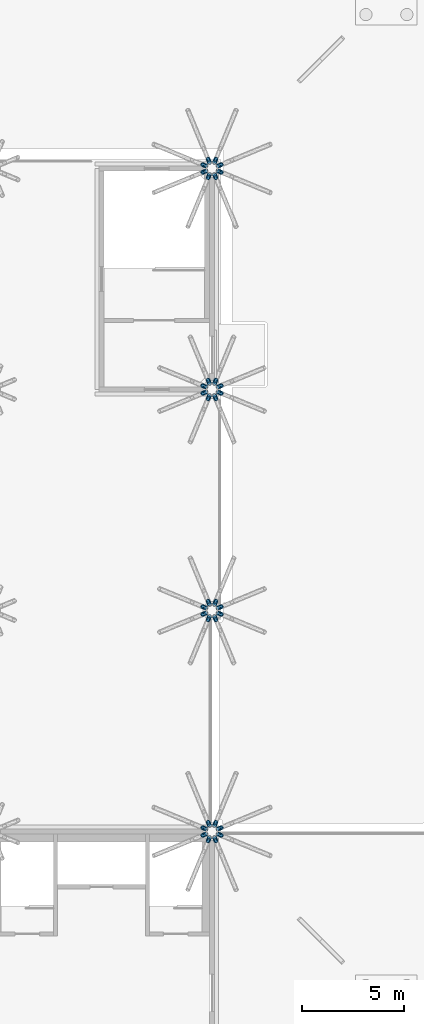
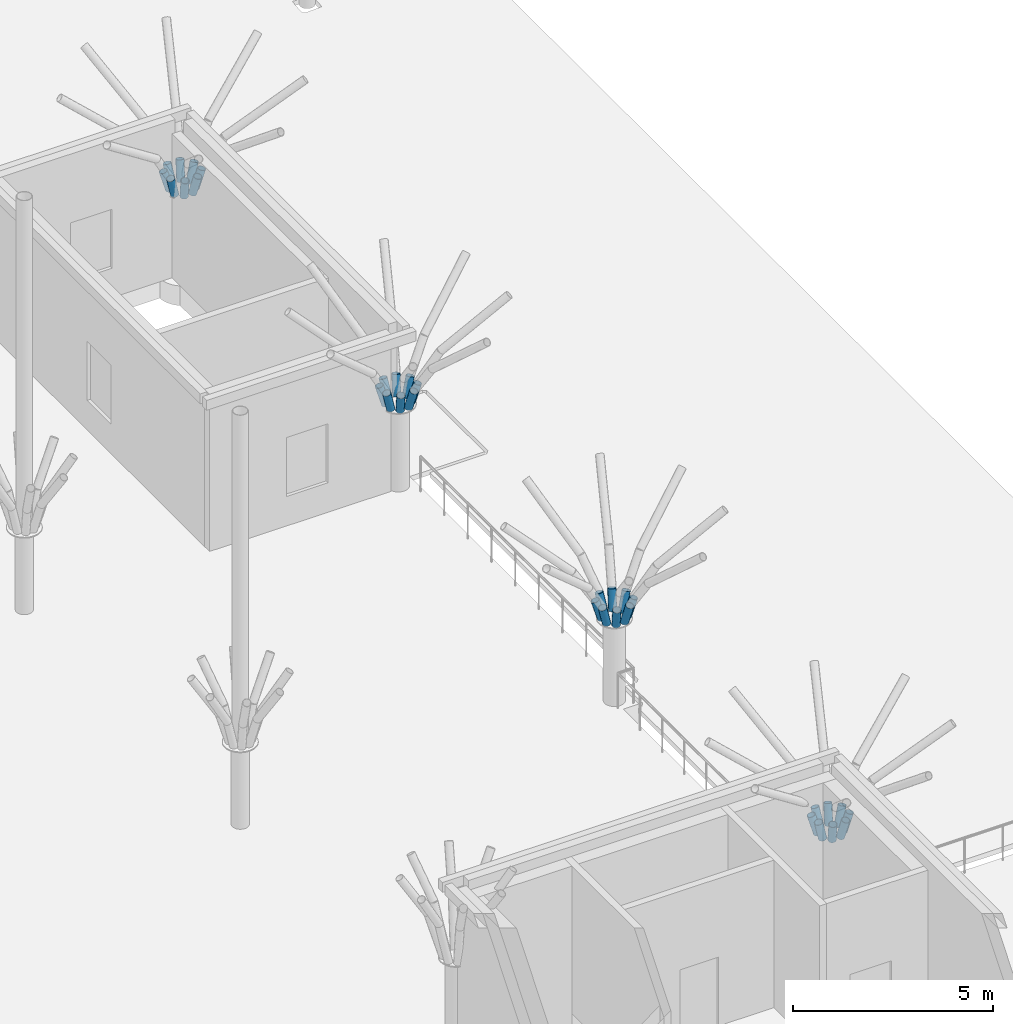
# One storey, part 31 of 91: 32 members.
"""IFC4 building model written with IfcOpenShell, lengths in metres."""

from ifc_helpers import new_model, si_unit, direction, frame, origin, origin_2d, place, context, subcontext, project, spatial, hollow_circle, extrude, material, material_profile, profile_set, type_object, element, save


model = new_model("IFC4")

# Units and contexts
model_context = context("Model", 3, precision=1e-05, world=origin(), true_north=direction((0.0, 1.0)))
body_context = subcontext(model_context, "Body", "Model", "MODEL_VIEW")
ifc_project = project(units=[si_unit("LENGTHUNIT", "METRE"), si_unit("AREAUNIT", "SQUARE_METRE"), si_unit("VOLUMEUNIT", "CUBIC_METRE"), si_unit("PLANEANGLEUNIT", "RADIAN"), si_unit("MASSUNIT", "GRAM", prefix="KILO")], contexts=[model_context])

# Site, building, storey
site_placement = place(None, origin())
site = spatial("IfcSite", under=ifc_project, at=site_placement, CompositionType="ELEMENT")
building_placement = place(site_placement, origin())
building = spatial("IfcBuilding", under=site, at=building_placement, Name="Magnolia Steps Interchange", CompositionType="ELEMENT")
storey_placement = place(building_placement, origin())
storey = spatial("IfcBuildingStorey", under=building, at=storey_placement, Name="L00", CompositionType="ELEMENT", Elevation=0.0)

# Members
ifc_material = material(Name="Steel Q355B", Category="steel")
ifc_material_profile = material_profile(ifc_material, hollow_circle(Radius=0.109619140625, WallThickness=0.010009765625, at=origin_2d()), Name="CHS219x10")
ifc_profile_set = profile_set([ifc_material_profile], Name="Steel Q355B")
member_type = type_object("IfcMemberType", Name="Tree rib CHS219x10", PredefinedType="USERDEFINED", material=ifc_profile_set)
for number, where, z_axis, x_axis, name in (
    (1, (183.09521484375, 42.522216796875, 2.52001953125), (0.254747000233, 0.105805463355, 0.961201940175), (-0.383567615026, 0.923512796177, 0.0), "Tree rib TC04A"),
    (2, (182.92236328125, 42.6953125, 2.52001953125), (0.105413969773, 0.254377340187, 0.961342844034), (-0.923818626705, 0.382830438906, 0.0), "Tree rib TC04A"),
    (3, (182.677734375, 42.6953125, 2.52001953125), (-0.105413969773, 0.254377340187, 0.961342844034), (-0.923818626705, -0.382830438906, 0.0), "Tree rib TC04A"),
    (4, (182.5048828125, 42.522216796875, 2.52001953125), (-0.254747000233, 0.105805463355, 0.961201940175), (-0.383567615026, -0.923512796177, 0.0), "Tree rib TC04A"),
    (5, (182.5048828125, 42.277587890625, 2.52001953125), (-0.254757948463, -0.105403048965, 0.961243249632), (0.3823083337, -0.92403481427, 0.0), "Tree rib TC04A"),
    (6, (182.677734375, 42.104736328125, 2.52001953125), (-0.105403048965, -0.254757948463, 0.961243249632), (0.92403481427, -0.3823083337, 0.0), "Tree rib TC04A"),
    (7, (182.92236328125, 42.104736328125, 2.52001953125), (0.105403048965, -0.254757948463, 0.961243249632), (0.92403481427, 0.3823083337, 0.0), "Tree rib TC04A"),
    (8, (183.09521484375, 42.277587890625, 2.52001953125), (0.254757948463, -0.105403048965, 0.961243249632), (0.3823083337, 0.92403481427, 0.0), "Tree rib TC04A"),
    (9, (183.09521484375, 53.322265625, 2.52001953125), (0.254757948463, 0.105403048965, 0.961243249632), (-0.3823083337, 0.92403481427, 0.0), "Tree rib TC04B"),
    (10, (182.92236328125, 53.4951171875, 2.52001953125), (0.105403048965, 0.254757948463, 0.961243249632), (-0.92403481427, 0.3823083337, 0.0), "Tree rib TC04B"),
    (11, (182.677734375, 53.4951171875, 2.52001953125), (-0.105403048965, 0.254757948463, 0.961243249632), (-0.92403481427, -0.3823083337, 0.0), "Tree rib TC04B"),
    (12, (182.5048828125, 53.322265625, 2.52001953125), (-0.254757948463, 0.105403048965, 0.961243249632), (-0.3823083337, -0.92403481427, 0.0), "Tree rib TC04B"),
    (13, (182.5048828125, 53.07763671875, 2.52001953125), (-0.254757948463, -0.105403048965, 0.961243249632), (0.3823083337, -0.92403481427, 0.0), "Tree rib TC04B"),
    (14, (182.677734375, 52.90478515625, 2.52001953125), (-0.105403048965, -0.254757948463, 0.961243249632), (0.92403481427, -0.3823083337, 0.0), "Tree rib TC04B"),
    (15, (182.92236328125, 52.90478515625, 2.52001953125), (0.105403048965, -0.254757948463, 0.961243249632), (0.92403481427, 0.3823083337, 0.0), "Tree rib TC04B"),
    (16, (183.09521484375, 53.07763671875, 2.52001953125), (0.254757948463, -0.105403048965, 0.961243249632), (0.3823083337, 0.92403481427, 0.0), "Tree rib TC04B"),
    (17, (183.09521484375, 64.122314453125, 2.52001953125), (0.254757948463, 0.105403048965, 0.961243249632), (-0.3823083337, 0.92403481427, 0.0), "Tree rib TC04C"),
    (18, (182.92236328125, 64.295166015625, 2.52001953125), (0.105403048965, 0.254757948463, 0.961243249632), (-0.92403481427, 0.3823083337, 0.0), "Tree rib TC04C"),
    (19, (182.677734375, 64.295166015625, 2.52001953125), (-0.105403048965, 0.254757948463, 0.961243249632), (-0.92403481427, -0.3823083337, 0.0), "Tree rib TC04C"),
    (20, (182.5048828125, 64.122314453125, 2.52001953125), (-0.254757948463, 0.105403048965, 0.961243249632), (-0.3823083337, -0.92403481427, 0.0), "Tree rib TC04C"),
    (21, (182.5048828125, 63.877685546875, 2.52001953125), (-0.254757948463, -0.105403048965, 0.961243249632), (0.3823083337, -0.92403481427, 0.0), "Tree rib TC04C"),
    (22, (182.677734375, 63.704833984375, 2.52001953125), (-0.105403048965, -0.254757948463, 0.961243249632), (0.92403481427, -0.3823083337, 0.0), "Tree rib TC04C"),
    (23, (182.92236328125, 63.704833984375, 2.52001953125), (0.105403048965, -0.254757948463, 0.961243249632), (0.92403481427, 0.3823083337, 0.0), "Tree rib TC04C"),
    (24, (183.09521484375, 63.877685546875, 2.52001953125), (0.254757948463, -0.105403048965, 0.961243249632), (0.3823083337, 0.92403481427, 0.0), "Tree rib TC04C"),
    (25, (183.09521484375, 74.92236328125, 2.52001953125), (0.254757948463, 0.105403048965, 0.961243249632), (-0.3823083337, 0.92403481427, 0.0), "Tree rib TC04D"),
    (26, (182.92236328125, 75.09521484375, 2.52001953125), (0.105403048965, 0.254757948463, 0.961243249632), (-0.92403481427, 0.3823083337, 0.0), "Tree rib TC04D"),
    (27, (182.677734375, 75.09521484375, 2.52001953125), (-0.105403048965, 0.254757948463, 0.961243249632), (-0.92403481427, -0.3823083337, 0.0), "Tree rib TC04D"),
    (28, (182.5048828125, 74.92236328125, 2.52001953125), (-0.254757948463, 0.105403048965, 0.961243249632), (-0.3823083337, -0.92403481427, 0.0), "Tree rib TC04D"),
    (29, (182.5048828125, 74.677734375, 2.52001953125), (-0.254757948463, -0.105403048965, 0.961243249632), (0.3823083337, -0.92403481427, 0.0), "Tree rib TC04D"),
    (30, (182.677734375, 74.5048828125, 2.52001953125), (-0.105403048965, -0.254757948463, 0.961243249632), (0.92403481427, -0.3823083337, 0.0), "Tree rib TC04D"),
    (31, (182.92236328125, 74.5048828125, 2.52001953125), (0.105403048965, -0.254757948463, 0.961243249632), (0.92403481427, 0.3823083337, 0.0), "Tree rib TC04D"),
    (32, (183.09521484375, 74.677734375, 2.52001953125), (0.254757948463, -0.105403048965, 0.961243249632), (0.3823083337, 0.92403481427, 0.0), "Tree rib TC04D"),
):
    element("IfcMember", number, at=place(storey_placement, frame(where, z_axis=z_axis, x_axis=x_axis)), inside=storey, type_object=member_type, Name=name, ObjectType="TREE RIB", PredefinedType="USERDEFINED", context=body_context, shape_type="SweptSolid", body=[
        extrude(hollow_circle(Radius=0.109619140625, WallThickness=0.010009765625, at=origin_2d()), origin(), (0.0, 0.0, 1.0), 0.599853515625),
    ])

save(model, "model.ifc")
